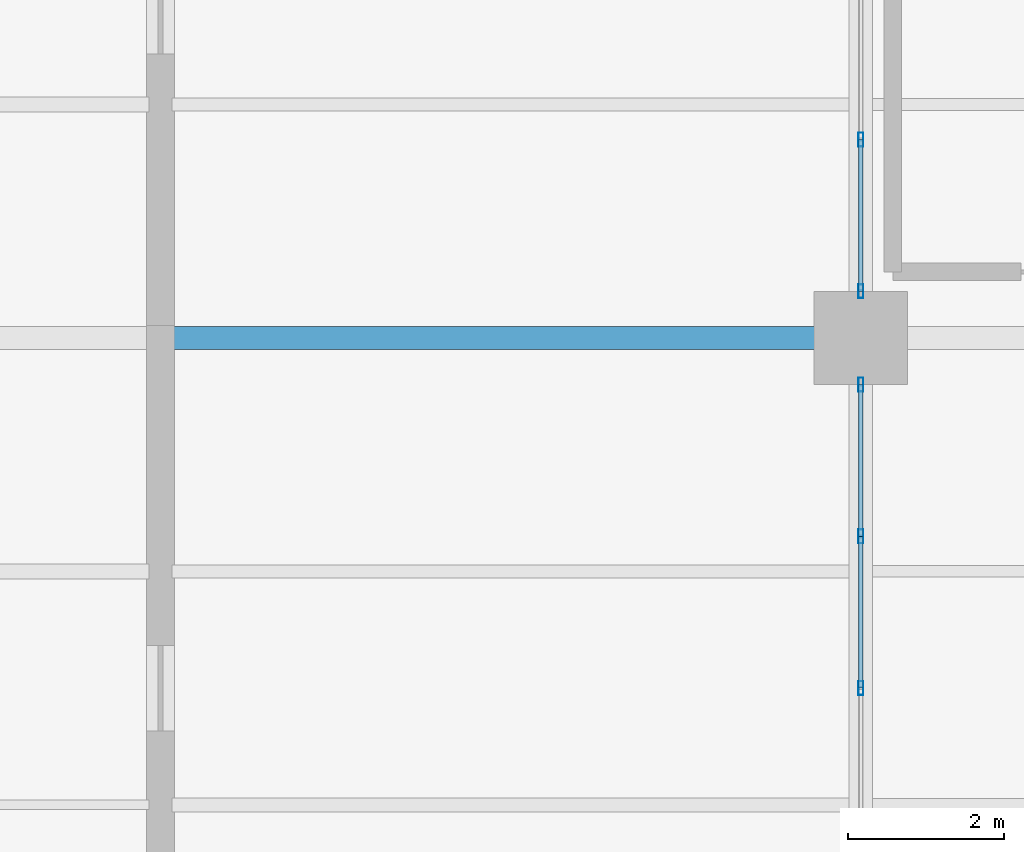
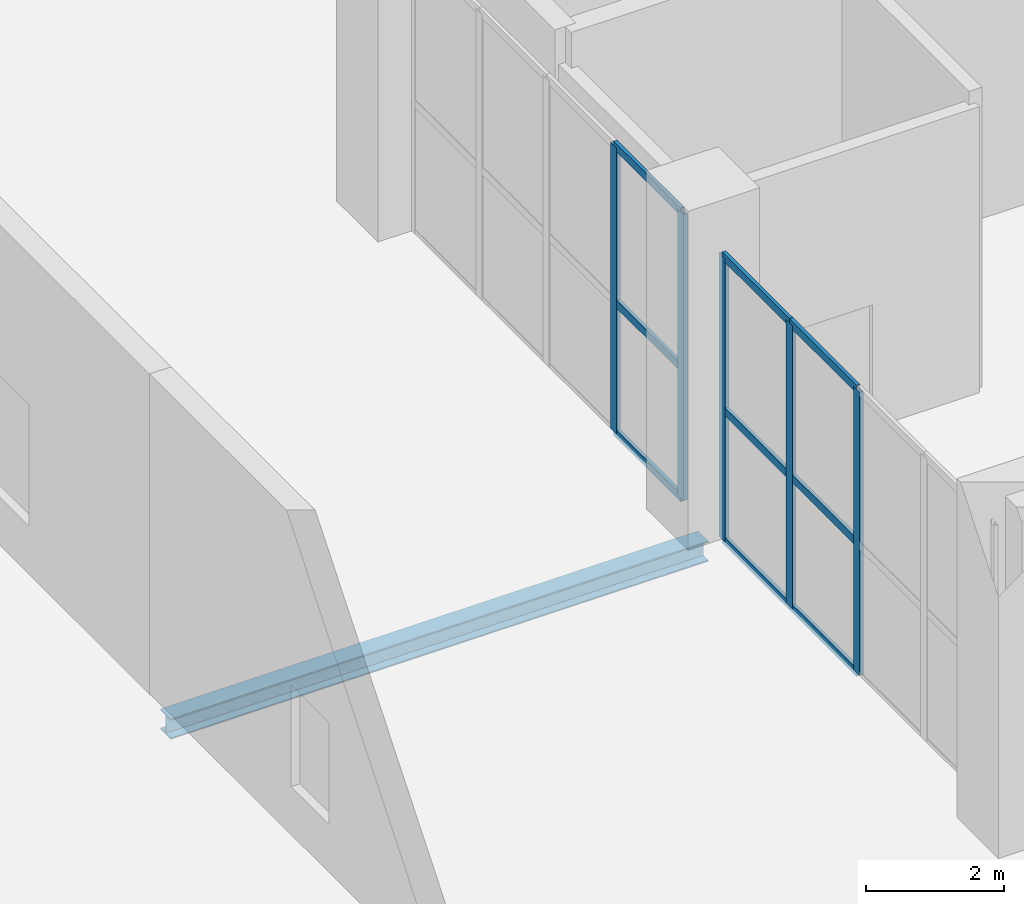
# One storey, part 55 of 144: 14 members, 1 beam, 2 elements without a shape of their own.
"""IFC4 building model written with IfcOpenShell, lengths in metres."""

from ifc_helpers import new_model, si_unit, direction, frame, origin, origin_2d, place, context, subcontext, project, spatial, hollow_rectangle, i_section, extrude, material, layer, layer_set, material_profile, profile_set, type_object, element, aggregate, save


model = new_model("IFC4")

# Units and contexts
model_context = context("Model", 3, precision=1e-05, world=origin(), true_north=direction((0.0, 1.0)))
body_context = subcontext(model_context, "Body", "Model", "MODEL_VIEW")
ifc_project = project(units=[si_unit("LENGTHUNIT", "METRE"), si_unit("AREAUNIT", "SQUARE_METRE"), si_unit("VOLUMEUNIT", "CUBIC_METRE"), si_unit("PLANEANGLEUNIT", "RADIAN"), si_unit("MASSUNIT", "GRAM", prefix="KILO")], contexts=[model_context])

# Site, building, storey
site_placement = place(None, origin())
site = spatial("IfcSite", under=ifc_project, at=site_placement, CompositionType="ELEMENT")
building_placement = place(site_placement, origin())
building = spatial("IfcBuilding", under=site, at=building_placement, Name="Sundgate Opera House", CompositionType="ELEMENT")
storey_placement = place(building_placement, origin())
storey = spatial("IfcBuildingStorey", under=building, at=storey_placement, Name="L00", CompositionType="ELEMENT", Elevation=0.0)

# Beam
ifc_material_1 = material(Name="Steel S355J2", Category="steel")
ifc_material_profile_1 = material_profile(ifc_material_1, i_section(OverallWidth=0.300048828125, OverallDepth=0.360107421875, WebThickness=0.012451171875, FlangeThickness=0.0224609375, at=origin_2d()), Name="HEB 360")
ifc_profile_set_1 = profile_set([ifc_material_profile_1], Name="Steel S355J2")
beam_type = type_object("IfcBeamType", Name="BM-GR-HEB360", PredefinedType="BEAM", material=ifc_profile_set_1)
beam_placement = place(storey_placement, frame((27.0, 69.0, -0.5), z_axis=(1.0, 0.0, 0.0), x_axis=(0.0, 1.0, 0.0)))
element("IfcBeam", 1, at=beam_placement, inside=storey, type_object=beam_type, Name="L00 Primary E-W Girder B0461", PredefinedType="BEAM", context=body_context, shape_type="SweptSolid", body=[
    extrude(i_section(OverallWidth=0.300048828125, OverallDepth=0.360107421875, WebThickness=0.012451171875, FlangeThickness=0.0224609375, at=origin_2d()), origin(), (0.0, 0.0, 1.0), 9.0),
])

# Curtain wall, members
ifc_material_2 = material(Name="Anodized aluminium and low-iron glass", Category="aluminium")
ifc_layer = layer(ifc_material_2, 0.179931640625)
ifc_layer_set = layer_set([ifc_layer], Name="Anodized aluminium and low-iron glass")
curtain_wall_type = type_object("IfcCurtainWallType", Name="CW-FOYER-GLASS", PredefinedType="NOTDEFINED", material=ifc_layer_set)
curtain_wall_1_placement = place(storey_placement, origin())
curtain_wall_1 = element("IfcCurtainWall", 2, at=curtain_wall_1_placement, inside=storey, type_object=curtain_wall_type, Name="L00 Curtain Wall CW006", PredefinedType="NOTDEFINED")
ifc_material_3 = material(Name="Anodized aluminium EN AW-6063", Category="aluminium")
ifc_material_profile_2 = material_profile(ifc_material_3, hollow_rectangle(XDim=0.06494140625, YDim=0.179931640625, WallThickness=0.00390625, at=origin_2d()), Name="CWM 180x65x4")
ifc_profile_set_2 = profile_set([ifc_material_profile_2], Name="Anodized aluminium EN AW-6063")
member_type_1 = type_object("IfcMemberType", Name="CWM-ALU-180x65", PredefinedType="MULLION", material=ifc_profile_set_2)
member_1_placement = place(storey_placement, frame((36.0, 68.39990234375, 0.0), z_axis=(0.0, 0.0, 1.0), x_axis=(1.0, 0.0, 0.0)))
member_1 = element("IfcMember", 3, at=member_1_placement, type_object=member_type_1, Name="CW006 Mullion 1", PredefinedType="MULLION", context=body_context, shape_type="SweptSolid", body=[
    extrude(hollow_rectangle(XDim=0.06494140625, YDim=0.179931640625, WallThickness=0.00390625, at=origin_2d()), origin(), (0.0, 0.0, 1.0), 5.014892578125),
])
member_2_placement = place(storey_placement, frame((36.0, 66.449951171875, 0.0), z_axis=(0.0, 0.0, 1.0), x_axis=(1.0, 0.0, 0.0)))
member_2 = element("IfcMember", 4, at=member_2_placement, type_object=member_type_1, Name="CW006 Mullion 2", PredefinedType="MULLION", context=body_context, shape_type="SweptSolid", body=[
    extrude(hollow_rectangle(XDim=0.06494140625, YDim=0.179931640625, WallThickness=0.00390625, at=origin_2d()), origin(), (0.0, 0.0, 1.0), 5.014892578125),
])
member_3_placement = place(storey_placement, frame((36.0, 64.5, 0.0), z_axis=(0.0, 0.0, 1.0), x_axis=(1.0, 0.0, 0.0)))
member_3 = element("IfcMember", 5, at=member_3_placement, type_object=member_type_1, Name="CW006 Mullion 3", PredefinedType="MULLION", context=body_context, shape_type="SweptSolid", body=[
    extrude(hollow_rectangle(XDim=0.06494140625, YDim=0.179931640625, WallThickness=0.00390625, at=origin_2d()), origin(), (0.0, 0.0, 1.0), 5.014892578125),
])

curtain_wall_2_placement = place(storey_placement, origin())
curtain_wall_2 = element("IfcCurtainWall", 6, at=curtain_wall_2_placement, inside=storey, type_object=curtain_wall_type, Name="L00 Curtain Wall CW007", PredefinedType="NOTDEFINED")
member_4_placement = place(storey_placement, frame((36.0, 71.550048828125, 0.0), z_axis=(0.0, 0.0, 1.0), x_axis=(1.0, 0.0, 0.0)))
member_4 = element("IfcMember", 7, at=member_4_placement, type_object=member_type_1, Name="CW007 Mullion 4", PredefinedType="MULLION", context=body_context, shape_type="SweptSolid", body=[
    extrude(hollow_rectangle(XDim=0.06494140625, YDim=0.179931640625, WallThickness=0.00390625, at=origin_2d()), origin(), (0.0, 0.0, 1.0), 5.06494140625),
])
member_5_placement = place(storey_placement, frame((36.0, 69.60009765625, 0.0), z_axis=(0.0, 0.0, 1.0), x_axis=(1.0, 0.0, 0.0)))
member_5 = element("IfcMember", 8, at=member_5_placement, type_object=member_type_1, Name="CW007 Mullion 5", PredefinedType="MULLION", context=body_context, shape_type="SweptSolid", body=[
    extrude(hollow_rectangle(XDim=0.06494140625, YDim=0.179931640625, WallThickness=0.00390625, at=origin_2d()), origin(), (0.0, 0.0, 1.0), 5.06494140625),
])

# Member
ifc_material_4 = material(Name="Anodized aluminium EN AW-6063", Category="aluminium")
ifc_material_profile_3 = material_profile(ifc_material_4, hollow_rectangle(XDim=0.06005859375, YDim=0.139892578125, WallThickness=0.00390625, at=origin_2d()), Name="CWT 140x60x4")
ifc_profile_set_3 = profile_set([ifc_material_profile_3], Name="Anodized aluminium EN AW-6063")
member_type_2 = type_object("IfcMemberType", Name="CWT-ALU-140x60", PredefinedType="USERDEFINED", material=ifc_profile_set_3)
member_6_placement = place(storey_placement, frame((36.0, 68.39990234375, 0.0), z_axis=(0.0, -1.0, 0.0), x_axis=(1.0, 0.0, 0.0)))
member_6 = element("IfcMember", 9, at=member_6_placement, type_object=member_type_2, Name="CW006 Transom 1", ObjectType="TRANSOM", PredefinedType="USERDEFINED", context=body_context, shape_type="SweptSolid", body=[
    extrude(hollow_rectangle(XDim=0.06005859375, YDim=0.139892578125, WallThickness=0.00390625, at=origin_2d()), origin(), (0.0, 0.0, 1.0), 1.949951171875),
])

member_7_placement = place(storey_placement, frame((36.0, 68.39990234375, 2.300048828125), z_axis=(0.0, -1.0, 0.0), x_axis=(1.0, 0.0, 0.0)))
member_7 = element("IfcMember", 10, at=member_7_placement, type_object=member_type_2, Name="CW006 Transom 2", ObjectType="TRANSOM", PredefinedType="USERDEFINED", context=body_context, shape_type="SweptSolid", body=[
    extrude(hollow_rectangle(XDim=0.06005859375, YDim=0.139892578125, WallThickness=0.00390625, at=origin_2d()), origin(), (0.0, 0.0, 1.0), 1.949951171875),
])

member_8_placement = place(storey_placement, frame((36.0, 68.39990234375, 5.014892578125), z_axis=(0.0, -1.0, 0.0), x_axis=(1.0, 0.0, 0.0)))
member_8 = element("IfcMember", 11, at=member_8_placement, type_object=member_type_2, Name="CW006 Transom 3", ObjectType="TRANSOM", PredefinedType="USERDEFINED", context=body_context, shape_type="SweptSolid", body=[
    extrude(hollow_rectangle(XDim=0.06005859375, YDim=0.139892578125, WallThickness=0.00390625, at=origin_2d()), origin(), (0.0, 0.0, 1.0), 1.949951171875),
])

member_9_placement = place(storey_placement, frame((36.0, 66.449951171875, 0.0), z_axis=(0.0, -1.0, 0.0), x_axis=(1.0, 0.0, 0.0)))
member_9 = element("IfcMember", 12, at=member_9_placement, type_object=member_type_2, Name="CW006 Transom 4", ObjectType="TRANSOM", PredefinedType="USERDEFINED", context=body_context, shape_type="SweptSolid", body=[
    extrude(hollow_rectangle(XDim=0.06005859375, YDim=0.139892578125, WallThickness=0.00390625, at=origin_2d()), origin(), (0.0, 0.0, 1.0), 1.949951171875),
])

member_10_placement = place(storey_placement, frame((36.0, 66.449951171875, 2.300048828125), z_axis=(0.0, -1.0, 0.0), x_axis=(1.0, 0.0, 0.0)))
member_10 = element("IfcMember", 13, at=member_10_placement, type_object=member_type_2, Name="CW006 Transom 5", ObjectType="TRANSOM", PredefinedType="USERDEFINED", context=body_context, shape_type="SweptSolid", body=[
    extrude(hollow_rectangle(XDim=0.06005859375, YDim=0.139892578125, WallThickness=0.00390625, at=origin_2d()), origin(), (0.0, 0.0, 1.0), 1.949951171875),
])

member_11_placement = place(storey_placement, frame((36.0, 66.449951171875, 5.014892578125), z_axis=(0.0, -1.0, 0.0), x_axis=(1.0, 0.0, 0.0)))
member_11 = element("IfcMember", 14, at=member_11_placement, type_object=member_type_2, Name="CW006 Transom 6", ObjectType="TRANSOM", PredefinedType="USERDEFINED", context=body_context, shape_type="SweptSolid", body=[
    extrude(hollow_rectangle(XDim=0.06005859375, YDim=0.139892578125, WallThickness=0.00390625, at=origin_2d()), origin(), (0.0, 0.0, 1.0), 1.949951171875),
])

aggregate(curtain_wall_1, [member_1, member_2, member_3, member_6, member_7, member_8, member_9, member_10, member_11])

member_12_placement = place(storey_placement, frame((36.0, 71.550048828125, 0.0), z_axis=(0.0, -1.0, 0.0), x_axis=(1.0, 0.0, 0.0)))
member_12 = element("IfcMember", 15, at=member_12_placement, type_object=member_type_2, Name="CW007 Transom 10", ObjectType="TRANSOM", PredefinedType="USERDEFINED", context=body_context, shape_type="SweptSolid", body=[
    extrude(hollow_rectangle(XDim=0.06005859375, YDim=0.139892578125, WallThickness=0.00390625, at=origin_2d()), origin(), (0.0, 0.0, 1.0), 1.949951171875),
])

member_13_placement = place(storey_placement, frame((36.0, 71.550048828125, 2.300048828125), z_axis=(0.0, -1.0, 0.0), x_axis=(1.0, 0.0, 0.0)))
member_13 = element("IfcMember", 16, at=member_13_placement, type_object=member_type_2, Name="CW007 Transom 11", ObjectType="TRANSOM", PredefinedType="USERDEFINED", context=body_context, shape_type="SweptSolid", body=[
    extrude(hollow_rectangle(XDim=0.06005859375, YDim=0.139892578125, WallThickness=0.00390625, at=origin_2d()), origin(), (0.0, 0.0, 1.0), 1.949951171875),
])

member_14_placement = place(storey_placement, frame((36.0, 71.550048828125, 5.06494140625), z_axis=(0.0, -1.0, 0.0), x_axis=(1.0, 0.0, 0.0)))
member_14 = element("IfcMember", 17, at=member_14_placement, type_object=member_type_2, Name="CW007 Transom 12", ObjectType="TRANSOM", PredefinedType="USERDEFINED", context=body_context, shape_type="SweptSolid", body=[
    extrude(hollow_rectangle(XDim=0.06005859375, YDim=0.139892578125, WallThickness=0.00390625, at=origin_2d()), origin(), (0.0, 0.0, 1.0), 1.949951171875),
])

aggregate(curtain_wall_2, [member_4, member_5, member_12, member_13, member_14])

save(model, "model.ifc")
